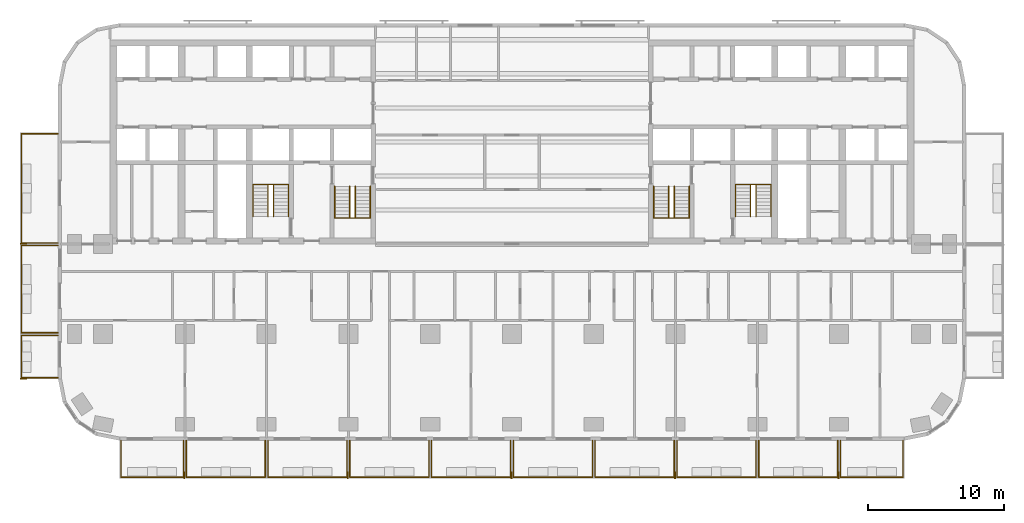
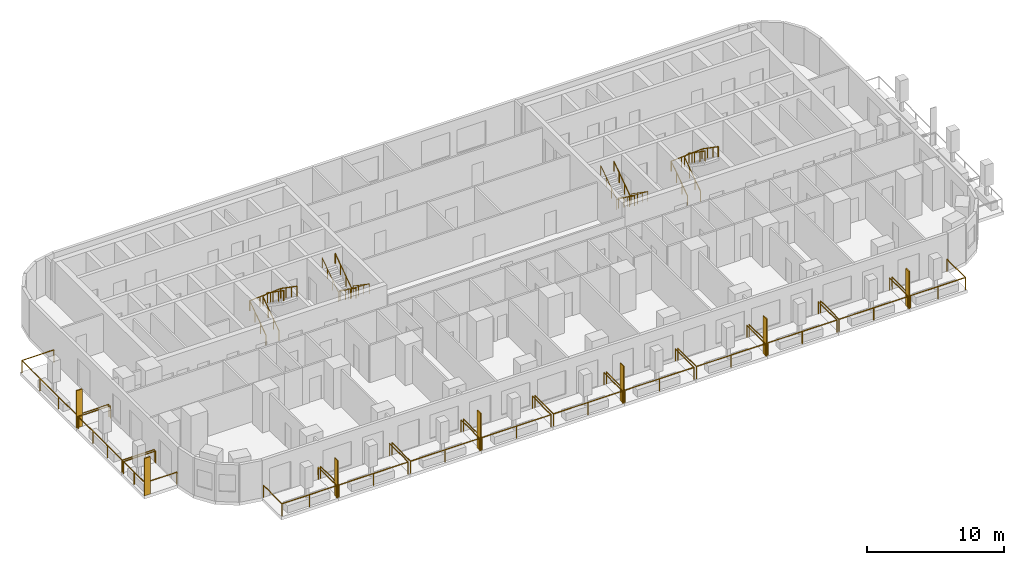
# One storey, part 13 of 15: 21 railings, 7 shading devices.
"""IFC4 building model written with IfcOpenShell, lengths in metres."""

from ifc_helpers import new_model, si_unit, direction, frame, origin, origin_2d, place, context, subcontext, project, spatial, rectangle, circle, extrude, material, layer, layer_set, type_object, element, save


model = new_model("IFC4")

# Units and contexts
model_context = context("Model", 3, precision=1e-05, world=origin(), true_north=direction((0.0, 1.0)))
body_context = subcontext(model_context, "Body", "Model", "MODEL_VIEW")
ifc_project = project(units=[si_unit("LENGTHUNIT", "METRE"), si_unit("AREAUNIT", "SQUARE_METRE"), si_unit("VOLUMEUNIT", "CUBIC_METRE"), si_unit("PLANEANGLEUNIT", "RADIAN"), si_unit("MASSUNIT", "GRAM", prefix="KILO")], contexts=[model_context])

# Site, building, storey
site_placement = place(None, origin())
site = spatial("IfcSite", under=ifc_project, at=site_placement, CompositionType="ELEMENT")
building_placement = place(site_placement, origin())
building = spatial("IfcBuilding", under=site, at=building_placement, Name="Torana Hotel and Residences", CompositionType="ELEMENT")
storey_placement = place(building_placement, frame((0.0, 0.0, 92.39990234375)))
storey = spatial("IfcBuildingStorey", under=building, at=storey_placement, Name="L23", CompositionType="ELEMENT", Elevation=92.39990234375)

# Shading devices
ifc_material_1 = material(Name="Black powder coated aluminium", Category="aluminium")
ifc_layer = layer(ifc_material_1, 0.080078125)
ifc_layer_set = layer_set([ifc_layer], Name="FN1 VERTICAL FIN 500x80")
shading_device_type = type_object("IfcShadingDeviceType", Name="FN1 VERTICAL FIN 500x80", PredefinedType="USERDEFINED", material=ifc_layer_set)
for number, where, z_axis, x_axis, name in (
    (1, (-24.0400390625, -31.949951171875, 0.0), (0.0, 0.0, 1.0), (-1.0, 0.0, 0.0), "Fin 01"),
    (2, (-12.0400390625, -31.949951171875, 0.0), (0.0, 0.0, 1.0), (-1.0, 0.0, 0.0), "Fin 03"),
    (3, (-0.0400390625, -31.949951171875, 0.0), (0.0, 0.0, 1.0), (-1.0, 0.0, 0.0), "Fin 05"),
    (4, (11.9599609375, -31.949951171875, 0.0), (0.0, 0.0, 1.0), (-1.0, 0.0, 0.0), "Fin 07"),
    (5, (23.9599609375, -31.949951171875, 0.0), (0.0, 0.0, 1.0), (-1.0, 0.0, 0.0), "Fin 09"),
    (6, (-35.85009765625, -24.860107421875, 0.0), (0.0, 0.0, 1.0), (0.0, 1.0, 0.0), "Fin 11"),
    (7, (-35.85009765625, -14.9599609375, 0.0), (0.0, 0.0, 1.0), (0.0, 1.0, 0.0), "Fin 13"),
):
    element("IfcShadingDevice", number, at=place(storey_placement, frame(where, z_axis=z_axis, x_axis=x_axis)), inside=storey, type_object=shading_device_type, Name=name, ObjectType="FIN", PredefinedType="USERDEFINED", context=body_context, shape_type="SweptSolid", body=[
        extrude(rectangle(XDim=0.080078125, YDim=0.5, at=origin_2d()), origin(), (0.0, 0.0, 1.0), 3.320068359375),
    ])

# Railings
ifc_material_2 = material(Name="Laminated glass balustrade with black handrail", Category="glass")
railing_type_1 = type_object("IfcRailingType", Name="GR1 BALCONY GUARD 1100 GLASS", PredefinedType="GUARDRAIL", material=ifc_material_2)
railing_1_placement = place(storey_placement, frame((-24.10009765625, -29.39990234375, 0.0)))
element("IfcRailing", 8, at=railing_1_placement, inside=storey, type_object=railing_type_1, Name="Balcony guard 01", PredefinedType="GUARDRAIL", context=body_context, shape_type="SweptSolid", body=[
    extrude(circle(Radius=0.02392578125, at=origin_2d()), frame((0.0, 0.0, 1.076171875), z_axis=(0.0, -1.0, 0.0), x_axis=(1.0, 0.0, 0.0)), (0.0, 0.0, 1.0), 2.7001953125),
    extrude(circle(Radius=0.02392578125, at=origin_2d()), frame((0.0, -2.7001953125, 1.076171875), z_axis=(-1.0, 0.0, 0.0), x_axis=(0.0, -1.0, 0.0)), (0.0, 0.0, 1.0), 4.599853515625),
    extrude(circle(Radius=0.02392578125, at=origin_2d()), frame((-4.599853515625, -2.7001953125, 1.076171875), z_axis=(0.0, 1.0, 0.0), x_axis=(-1.0, 0.0, 0.0)), (0.0, 0.0, 1.0), 2.7001953125),
    extrude(circle(Radius=0.02099609375, at=origin_2d()), origin(), (0.0, 0.0, 1.0), 1.052001953125),
    extrude(circle(Radius=0.02099609375, at=origin_2d()), frame((0.0, -2.7001953125, 0.0)), (0.0, 0.0, 1.0), 1.052001953125),
    extrude(circle(Radius=0.02099609375, at=origin_2d()), frame((-2.2998046875, -2.7001953125, 0.0)), (0.0, 0.0, 1.0), 1.052001953125),
    extrude(circle(Radius=0.02099609375, at=origin_2d()), frame((-4.599853515625, -2.7001953125, 0.0)), (0.0, 0.0, 1.0), 1.052001953125),
    extrude(circle(Radius=0.02099609375, at=origin_2d()), frame((-4.599853515625, 0.0, 0.0)), (0.0, 0.0, 1.0), 1.052001953125),
])
for number, where, name in (
    (9, (-18.10009765625, -29.39990234375, 0.0), "Balcony guard 02"),
    (10, (-12.10009765625, -29.39990234375, 0.0), "Balcony guard 03"),
    (11, (-6.10009765625, -29.39990234375, 0.0), "Balcony guard 04"),
    (12, (-0.10009765625, -29.39990234375, 0.0), "Balcony guard 05"),
    (13, (5.89990234375, -29.39990234375, 0.0), "Balcony guard 06"),
    (14, (11.89990234375, -29.39990234375, 0.0), "Balcony guard 07"),
    (15, (17.89990234375, -29.39990234375, 0.0), "Balcony guard 08"),
    (16, (23.89990234375, -29.39990234375, 0.0), "Balcony guard 09"),
):
    element("IfcRailing", number, at=place(storey_placement, frame(where)), inside=storey, type_object=railing_type_1, Name=name, PredefinedType="GUARDRAIL", context=body_context, shape_type="SweptSolid", body=[
        extrude(circle(Radius=0.02392578125, at=origin_2d()), frame((0.0, 0.0, 1.076171875), z_axis=(0.0, -1.0, 0.0), x_axis=(1.0, 0.0, 0.0)), (0.0, 0.0, 1.0), 2.7001953125),
        extrude(circle(Radius=0.02392578125, at=origin_2d()), frame((0.0, -2.7001953125, 1.076171875), z_axis=(-1.0, 0.0, 0.0), x_axis=(0.0, -1.0, 0.0)), (0.0, 0.0, 1.0), 5.7998046875),
        extrude(circle(Radius=0.02392578125, at=origin_2d()), frame((-5.7998046875, -2.7001953125, 1.076171875), z_axis=(0.0, 1.0, 0.0), x_axis=(-1.0, 0.0, 0.0)), (0.0, 0.0, 1.0), 2.7001953125),
        extrude(circle(Radius=0.02099609375, at=origin_2d()), origin(), (0.0, 0.0, 1.0), 1.052001953125),
        extrude(circle(Radius=0.02099609375, at=origin_2d()), frame((0.0, -2.7001953125, 0.0)), (0.0, 0.0, 1.0), 1.052001953125),
        extrude(circle(Radius=0.02099609375, at=origin_2d()), frame((-2.89990234375, -2.7001953125, 0.0)), (0.0, 0.0, 1.0), 1.052001953125),
        extrude(circle(Radius=0.02099609375, at=origin_2d()), frame((-5.7998046875, -2.7001953125, 0.0)), (0.0, 0.0, 1.0), 1.052001953125),
        extrude(circle(Radius=0.02099609375, at=origin_2d()), frame((-5.7998046875, 0.0, 0.0)), (0.0, 0.0, 1.0), 1.052001953125),
    ])
railing_2_placement = place(storey_placement, frame((28.699951171875, -29.39990234375, 0.0)))
element("IfcRailing", 17, at=railing_2_placement, inside=storey, type_object=railing_type_1, Name="Balcony guard 10", PredefinedType="GUARDRAIL", context=body_context, shape_type="SweptSolid", body=[
    extrude(circle(Radius=0.02392578125, at=origin_2d()), frame((0.0, 0.0, 1.076171875), z_axis=(0.0, -1.0, 0.0), x_axis=(1.0, 0.0, 0.0)), (0.0, 0.0, 1.0), 2.7001953125),
    extrude(circle(Radius=0.02392578125, at=origin_2d()), frame((0.0, -2.7001953125, 1.076171875), z_axis=(-1.0, 0.0, 0.0), x_axis=(0.0, -1.0, 0.0)), (0.0, 0.0, 1.0), 4.599853515625),
    extrude(circle(Radius=0.02392578125, at=origin_2d()), frame((-4.599853515625, -2.7001953125, 1.076171875), z_axis=(0.0, 1.0, 0.0), x_axis=(-1.0, 0.0, 0.0)), (0.0, 0.0, 1.0), 2.7001953125),
    extrude(circle(Radius=0.02099609375, at=origin_2d()), origin(), (0.0, 0.0, 1.0), 1.052001953125),
    extrude(circle(Radius=0.02099609375, at=origin_2d()), frame((0.0, -2.7001953125, 0.0)), (0.0, 0.0, 1.0), 1.052001953125),
    extrude(circle(Radius=0.02099609375, at=origin_2d()), frame((-2.2998046875, -2.7001953125, 0.0)), (0.0, 0.0, 1.0), 1.052001953125),
    extrude(circle(Radius=0.02099609375, at=origin_2d()), frame((-4.599853515625, -2.7001953125, 0.0)), (0.0, 0.0, 1.0), 1.052001953125),
    extrude(circle(Radius=0.02099609375, at=origin_2d()), frame((-4.599853515625, 0.0, 0.0)), (0.0, 0.0, 1.0), 1.052001953125),
])
railing_3_placement = place(storey_placement, frame((-33.300048828125, -24.800048828125, 0.0)))
element("IfcRailing", 18, at=railing_3_placement, inside=storey, type_object=railing_type_1, Name="Balcony guard 11", PredefinedType="GUARDRAIL", context=body_context, shape_type="SweptSolid", body=[
    extrude(circle(Radius=0.02392578125, at=origin_2d()), frame((0.0, 0.0, 1.076171875), z_axis=(-1.0, 0.0, 0.0), x_axis=(0.0, -1.0, 0.0)), (0.0, 0.0, 1.0), 2.699951171875),
    extrude(circle(Radius=0.02392578125, at=origin_2d()), frame((-2.699951171875, 0.0, 1.076171875), z_axis=(0.0, 1.0, 0.0), x_axis=(-1.0, 0.0, 0.0)), (0.0, 0.0, 1.0), 3.10009765625),
    extrude(circle(Radius=0.02392578125, at=origin_2d()), frame((-2.699951171875, 3.10009765625, 1.076171875), z_axis=(1.0, 0.0, 0.0), x_axis=(0.0, 1.0, 0.0)), (0.0, 0.0, 1.0), 2.699951171875),
    extrude(circle(Radius=0.02099609375, at=origin_2d()), origin(), (0.0, 0.0, 1.0), 1.052001953125),
    extrude(circle(Radius=0.02099609375, at=origin_2d()), frame((-2.699951171875, 0.0, 0.0)), (0.0, 0.0, 1.0), 1.052001953125),
    extrude(circle(Radius=0.02099609375, at=origin_2d()), frame((-2.699951171875, 1.550048828125, 0.0)), (0.0, 0.0, 1.0), 1.052001953125),
    extrude(circle(Radius=0.02099609375, at=origin_2d()), frame((-2.699951171875, 3.10009765625, 0.0)), (0.0, 0.0, 1.0), 1.052001953125),
    extrude(circle(Radius=0.02099609375, at=origin_2d()), frame((0.0, 3.10009765625, 0.0)), (0.0, 0.0, 1.0), 1.052001953125),
])
railing_4_placement = place(storey_placement, frame((-33.300048828125, -21.5, 0.0)))
element("IfcRailing", 19, at=railing_4_placement, inside=storey, type_object=railing_type_1, Name="Balcony guard 12", PredefinedType="GUARDRAIL", context=body_context, shape_type="SweptSolid", body=[
    extrude(circle(Radius=0.02392578125, at=origin_2d()), frame((0.0, 0.0, 1.076171875), z_axis=(-1.0, 0.0, 0.0), x_axis=(0.0, -1.0, 0.0)), (0.0, 0.0, 1.0), 2.699951171875),
    extrude(circle(Radius=0.02392578125, at=origin_2d()), frame((-2.699951171875, 0.0, 1.076171875), z_axis=(0.0, 1.0, 0.0), x_axis=(-1.0, 0.0, 0.0)), (0.0, 0.0, 1.0), 6.39990234375),
    extrude(circle(Radius=0.02392578125, at=origin_2d()), frame((-2.699951171875, 6.39990234375, 1.076171875), z_axis=(1.0, 0.0, 0.0), x_axis=(0.0, 1.0, 0.0)), (0.0, 0.0, 1.0), 2.699951171875),
    extrude(circle(Radius=0.02099609375, at=origin_2d()), origin(), (0.0, 0.0, 1.0), 1.052001953125),
    extrude(circle(Radius=0.02099609375, at=origin_2d()), frame((-2.699951171875, 0.0, 0.0)), (0.0, 0.0, 1.0), 1.052001953125),
    extrude(circle(Radius=0.02099609375, at=origin_2d()), frame((-2.699951171875, 2.13330078125, 0.0)), (0.0, 0.0, 1.0), 1.052001953125),
    extrude(circle(Radius=0.02099609375, at=origin_2d()), frame((-2.699951171875, 4.2666015625, 0.0)), (0.0, 0.0, 1.0), 1.052001953125),
    extrude(circle(Radius=0.02099609375, at=origin_2d()), frame((-2.699951171875, 6.39990234375, 0.0)), (0.0, 0.0, 1.0), 1.052001953125),
    extrude(circle(Radius=0.02099609375, at=origin_2d()), frame((0.0, 6.39990234375, 0.0)), (0.0, 0.0, 1.0), 1.052001953125),
])
railing_5_placement = place(storey_placement, frame((-33.300048828125, -14.89990234375, 0.0)))
element("IfcRailing", 20, at=railing_5_placement, inside=storey, type_object=railing_type_1, Name="Balcony guard 13", PredefinedType="GUARDRAIL", context=body_context, shape_type="SweptSolid", body=[
    extrude(circle(Radius=0.02392578125, at=origin_2d()), frame((0.0, 0.0, 1.076171875), z_axis=(-1.0, 0.0, 0.0), x_axis=(0.0, -1.0, 0.0)), (0.0, 0.0, 1.0), 2.699951171875),
    extrude(circle(Radius=0.02392578125, at=origin_2d()), frame((-2.699951171875, 0.0, 1.076171875), z_axis=(0.0, 1.0, 0.0), x_axis=(-1.0, 0.0, 0.0)), (0.0, 0.0, 1.0), 8.0),
    extrude(circle(Radius=0.02392578125, at=origin_2d()), frame((-2.699951171875, 8.0, 1.076171875), z_axis=(1.0, 0.0, 0.0), x_axis=(0.0, 1.0, 0.0)), (0.0, 0.0, 1.0), 2.699951171875),
    extrude(circle(Radius=0.02099609375, at=origin_2d()), origin(), (0.0, 0.0, 1.0), 1.052001953125),
    extrude(circle(Radius=0.02099609375, at=origin_2d()), frame((-2.699951171875, 0.0, 0.0)), (0.0, 0.0, 1.0), 1.052001953125),
    extrude(circle(Radius=0.02099609375, at=origin_2d()), frame((-2.699951171875, 2.666748046875, 0.0)), (0.0, 0.0, 1.0), 1.052001953125),
    extrude(circle(Radius=0.02099609375, at=origin_2d()), frame((-2.699951171875, 5.333251953125, 0.0)), (0.0, 0.0, 1.0), 1.052001953125),
    extrude(circle(Radius=0.02099609375, at=origin_2d()), frame((-2.699951171875, 8.0, 0.0)), (0.0, 0.0, 1.0), 1.052001953125),
    extrude(circle(Radius=0.02099609375, at=origin_2d()), frame((0.0, 8.0, 0.0)), (0.0, 0.0, 1.0), 1.052001953125),
])
ifc_material_3 = material(Name="Stainless steel 316", Category="steel")
railing_type_2 = type_object("IfcRailingType", Name="STAIR HANDRAIL HR1 900", PredefinedType="HANDRAIL", material=ifc_material_3)
railing_6_placement = place(storey_placement, frame((-10.39990234375, -10.75, 0.18017578125)))
element("IfcRailing", 21, at=railing_6_placement, inside=storey, type_object=railing_type_2, Name="Handrail ST1 L23 O1", PredefinedType="HANDRAIL", context=body_context, shape_type="SweptSolid", body=[
    extrude(circle(Radius=0.02392578125, at=origin_2d()), frame((0.0, 0.0, 0.8759765625), z_axis=(0.0, -0.822223072051, 0.569165371211), x_axis=(1.0, 0.0, 0.0)), (0.0, 0.0, 1.0), 2.845947265625),
    extrude(circle(Radius=0.02392578125, at=origin_2d()), frame((0.0, -2.340087890625, 2.49560546875), z_axis=(-0.997614115953, 0.0, 0.069036770278), x_axis=(0.0, -1.0, 0.0)), (0.0, 0.0, 1.0), 2.606201171875),
    extrude(circle(Radius=0.02392578125, at=origin_2d()), frame((-2.60009765625, -2.340087890625, 2.67578125), z_axis=(0.0, 0.822182927502, 0.569223360136), x_axis=(-1.0, 0.0, 0.0)), (0.0, 0.0, 1.0), 2.84619140625),
    extrude(circle(Radius=0.02099609375, at=origin_2d()), origin(), (0.0, 0.0, 1.0), 0.851806640625),
    extrude(circle(Radius=0.02099609375, at=origin_2d()), frame((0.0, -0.780029296875, 0.5400390625)), (0.0, 0.0, 1.0), 0.851806640625),
    extrude(circle(Radius=0.02099609375, at=origin_2d()), frame((0.0, -1.56005859375, 1.079833984375)), (0.0, 0.0, 1.0), 0.851806640625),
    extrude(circle(Radius=0.02099609375, at=origin_2d()), frame((0.0, -2.340087890625, 1.619873046875)), (0.0, 0.0, 1.0), 0.851806640625),
    extrude(circle(Radius=0.02099609375, at=origin_2d()), frame((-0.86669921875, -2.340087890625, 1.679931640625)), (0.0, 0.0, 1.0), 0.851806640625),
    extrude(circle(Radius=0.02099609375, at=origin_2d()), frame((-1.7333984375, -2.340087890625, 1.73974609375)), (0.0, 0.0, 1.0), 0.851806640625),
    extrude(circle(Radius=0.02099609375, at=origin_2d()), frame((-2.60009765625, -2.340087890625, 1.7998046875)), (0.0, 0.0, 1.0), 0.851806640625),
    extrude(circle(Radius=0.02099609375, at=origin_2d()), frame((-2.60009765625, -1.56005859375, 2.33984375)), (0.0, 0.0, 1.0), 0.851806640625),
    extrude(circle(Radius=0.02099609375, at=origin_2d()), frame((-2.60009765625, -0.780029296875, 2.8798828125)), (0.0, 0.0, 1.0), 0.851806640625),
    extrude(circle(Radius=0.02099609375, at=origin_2d()), frame((-2.60009765625, 0.0, 3.419921875)), (0.0, 0.0, 1.0), 0.851806640625),
])
railing_7_placement = place(storey_placement, frame((-11.5, -10.75, 0.18017578125)))
element("IfcRailing", 22, at=railing_7_placement, inside=storey, type_object=railing_type_2, Name="Handrail ST1 L23 I1", PredefinedType="HANDRAIL", context=body_context, shape_type="SweptSolid", body=[
    extrude(circle(Radius=0.02392578125, at=origin_2d()), frame((0.0, 0.0, 0.8759765625), z_axis=(0.0, -0.822223072051, 0.569165371211), x_axis=(1.0, 0.0, 0.0)), (0.0, 0.0, 1.0), 2.845947265625),
    extrude(circle(Radius=0.02392578125, at=origin_2d()), frame((0.0, -2.340087890625, 2.49560546875), z_axis=(-0.911942338396, 0.0, 0.410318378143), x_axis=(0.0, -1.0, 0.0)), (0.0, 0.0, 1.0), 0.4384765625),
    extrude(circle(Radius=0.02392578125, at=origin_2d()), frame((-0.39990234375, -2.340087890625, 2.67578125), z_axis=(0.0, 0.822182927502, 0.569223360136), x_axis=(-1.0, 0.0, 0.0)), (0.0, 0.0, 1.0), 2.84619140625),
    extrude(circle(Radius=0.02099609375, at=origin_2d()), origin(), (0.0, 0.0, 1.0), 0.851806640625),
    extrude(circle(Radius=0.02099609375, at=origin_2d()), frame((0.0, -0.780029296875, 0.5400390625)), (0.0, 0.0, 1.0), 0.851806640625),
    extrude(circle(Radius=0.02099609375, at=origin_2d()), frame((0.0, -1.56005859375, 1.079833984375)), (0.0, 0.0, 1.0), 0.851806640625),
    extrude(circle(Radius=0.02099609375, at=origin_2d()), frame((0.0, -2.340087890625, 1.619873046875)), (0.0, 0.0, 1.0), 0.851806640625),
    extrude(circle(Radius=0.02099609375, at=origin_2d()), frame((-0.39990234375, -2.340087890625, 1.7998046875)), (0.0, 0.0, 1.0), 0.851806640625),
    extrude(circle(Radius=0.02099609375, at=origin_2d()), frame((-0.39990234375, -1.56005859375, 2.33984375)), (0.0, 0.0, 1.0), 0.851806640625),
    extrude(circle(Radius=0.02099609375, at=origin_2d()), frame((-0.39990234375, -0.780029296875, 2.8798828125)), (0.0, 0.0, 1.0), 0.851806640625),
    extrude(circle(Radius=0.02099609375, at=origin_2d()), frame((-0.39990234375, 0.0, 3.419921875)), (0.0, 0.0, 1.0), 0.851806640625),
])
railing_8_placement = place(storey_placement, frame((-19.0, -12.949951171875, 0.18017578125)))
element("IfcRailing", 23, at=railing_8_placement, inside=storey, type_object=railing_type_2, Name="Handrail ST2 L23 O1", PredefinedType="HANDRAIL", context=body_context, shape_type="SweptSolid", body=[
    extrude(circle(Radius=0.02392578125, at=origin_2d()), frame((0.0, 0.0, 0.8759765625), z_axis=(0.0, 0.822195280011, 0.569205517829), x_axis=(-1.0, 0.0, 0.0)), (0.0, 0.0, 1.0), 2.845947265625),
    extrude(circle(Radius=0.02392578125, at=origin_2d()), frame((0.0, 2.33984375, 2.49560546875), z_axis=(0.997614115953, 0.0, 0.069036770278), x_axis=(0.0, 1.0, 0.0)), (0.0, 0.0, 1.0), 2.606201171875),
    extrude(circle(Radius=0.02392578125, at=origin_2d()), frame((2.60009765625, 2.33984375, 2.67578125), z_axis=(0.0, -0.822155131156, 0.569263506923), x_axis=(1.0, 0.0, 0.0)), (0.0, 0.0, 1.0), 2.845947265625),
    extrude(circle(Radius=0.02099609375, at=origin_2d()), origin(), (0.0, 0.0, 1.0), 0.851806640625),
    extrude(circle(Radius=0.02099609375, at=origin_2d()), frame((0.0, 0.780029296875, 0.5400390625)), (0.0, 0.0, 1.0), 0.851806640625),
    extrude(circle(Radius=0.02099609375, at=origin_2d()), frame((0.0, 1.559814453125, 1.079833984375)), (0.0, 0.0, 1.0), 0.851806640625),
    extrude(circle(Radius=0.02099609375, at=origin_2d()), frame((0.0, 2.33984375, 1.619873046875)), (0.0, 0.0, 1.0), 0.851806640625),
    extrude(circle(Radius=0.02099609375, at=origin_2d()), frame((0.86669921875, 2.33984375, 1.679931640625)), (0.0, 0.0, 1.0), 0.851806640625),
    extrude(circle(Radius=0.02099609375, at=origin_2d()), frame((1.7333984375, 2.33984375, 1.73974609375)), (0.0, 0.0, 1.0), 0.851806640625),
    extrude(circle(Radius=0.02099609375, at=origin_2d()), frame((2.60009765625, 2.33984375, 1.7998046875)), (0.0, 0.0, 1.0), 0.851806640625),
    extrude(circle(Radius=0.02099609375, at=origin_2d()), frame((2.60009765625, 1.559814453125, 2.33984375)), (0.0, 0.0, 1.0), 0.851806640625),
    extrude(circle(Radius=0.02099609375, at=origin_2d()), frame((2.60009765625, 0.780029296875, 2.8798828125)), (0.0, 0.0, 1.0), 0.851806640625),
    extrude(circle(Radius=0.02099609375, at=origin_2d()), frame((2.60009765625, 0.0, 3.419921875)), (0.0, 0.0, 1.0), 0.851806640625),
])
railing_9_placement = place(storey_placement, frame((-17.89990234375, -12.949951171875, 0.18017578125)))
element("IfcRailing", 24, at=railing_9_placement, inside=storey, type_object=railing_type_2, Name="Handrail ST2 L23 I1", PredefinedType="HANDRAIL", context=body_context, shape_type="SweptSolid", body=[
    extrude(circle(Radius=0.02392578125, at=origin_2d()), frame((0.0, 0.0, 0.8759765625), z_axis=(0.0, 0.822195280011, 0.569205517829), x_axis=(-1.0, 0.0, 0.0)), (0.0, 0.0, 1.0), 2.845947265625),
    extrude(circle(Radius=0.02392578125, at=origin_2d()), frame((0.0, 2.33984375, 2.49560546875), z_axis=(0.911942338396, 0.0, 0.410318378143), x_axis=(0.0, 1.0, 0.0)), (0.0, 0.0, 1.0), 0.4384765625),
    extrude(circle(Radius=0.02392578125, at=origin_2d()), frame((0.39990234375, 2.33984375, 2.67578125), z_axis=(0.0, -0.822155131156, 0.569263506923), x_axis=(1.0, 0.0, 0.0)), (0.0, 0.0, 1.0), 2.845947265625),
    extrude(circle(Radius=0.02099609375, at=origin_2d()), origin(), (0.0, 0.0, 1.0), 0.851806640625),
    extrude(circle(Radius=0.02099609375, at=origin_2d()), frame((0.0, 0.780029296875, 0.5400390625)), (0.0, 0.0, 1.0), 0.851806640625),
    extrude(circle(Radius=0.02099609375, at=origin_2d()), frame((0.0, 1.559814453125, 1.079833984375)), (0.0, 0.0, 1.0), 0.851806640625),
    extrude(circle(Radius=0.02099609375, at=origin_2d()), frame((0.0, 2.33984375, 1.619873046875)), (0.0, 0.0, 1.0), 0.851806640625),
    extrude(circle(Radius=0.02099609375, at=origin_2d()), frame((0.39990234375, 2.33984375, 1.7998046875)), (0.0, 0.0, 1.0), 0.851806640625),
    extrude(circle(Radius=0.02099609375, at=origin_2d()), frame((0.39990234375, 1.559814453125, 2.33984375)), (0.0, 0.0, 1.0), 0.851806640625),
    extrude(circle(Radius=0.02099609375, at=origin_2d()), frame((0.39990234375, 0.780029296875, 2.8798828125)), (0.0, 0.0, 1.0), 0.851806640625),
    extrude(circle(Radius=0.02099609375, at=origin_2d()), frame((0.39990234375, 0.0, 3.419921875)), (0.0, 0.0, 1.0), 0.851806640625),
])
railing_10_placement = place(storey_placement, frame((13.0, -10.75, 0.18017578125)))
element("IfcRailing", 25, at=railing_10_placement, inside=storey, type_object=railing_type_2, Name="Handrail ST3 L23 O1", PredefinedType="HANDRAIL", context=body_context, shape_type="SweptSolid", body=[
    extrude(circle(Radius=0.02392578125, at=origin_2d()), frame((0.0, 0.0, 0.8759765625), z_axis=(0.0, -0.822223072051, 0.569165371211), x_axis=(1.0, 0.0, 0.0)), (0.0, 0.0, 1.0), 2.845947265625),
    extrude(circle(Radius=0.02392578125, at=origin_2d()), frame((0.0, -2.340087890625, 2.49560546875), z_axis=(-0.997614115953, 0.0, 0.069036770278), x_axis=(0.0, -1.0, 0.0)), (0.0, 0.0, 1.0), 2.606201171875),
    extrude(circle(Radius=0.02392578125, at=origin_2d()), frame((-2.60009765625, -2.340087890625, 2.67578125), z_axis=(0.0, 0.822182927502, 0.569223360136), x_axis=(-1.0, 0.0, 0.0)), (0.0, 0.0, 1.0), 2.84619140625),
    extrude(circle(Radius=0.02099609375, at=origin_2d()), origin(), (0.0, 0.0, 1.0), 0.851806640625),
    extrude(circle(Radius=0.02099609375, at=origin_2d()), frame((0.0, -0.780029296875, 0.5400390625)), (0.0, 0.0, 1.0), 0.851806640625),
    extrude(circle(Radius=0.02099609375, at=origin_2d()), frame((0.0, -1.56005859375, 1.079833984375)), (0.0, 0.0, 1.0), 0.851806640625),
    extrude(circle(Radius=0.02099609375, at=origin_2d()), frame((0.0, -2.340087890625, 1.619873046875)), (0.0, 0.0, 1.0), 0.851806640625),
    extrude(circle(Radius=0.02099609375, at=origin_2d()), frame((-0.86669921875, -2.340087890625, 1.679931640625)), (0.0, 0.0, 1.0), 0.851806640625),
    extrude(circle(Radius=0.02099609375, at=origin_2d()), frame((-1.7333984375, -2.340087890625, 1.73974609375)), (0.0, 0.0, 1.0), 0.851806640625),
    extrude(circle(Radius=0.02099609375, at=origin_2d()), frame((-2.60009765625, -2.340087890625, 1.7998046875)), (0.0, 0.0, 1.0), 0.851806640625),
    extrude(circle(Radius=0.02099609375, at=origin_2d()), frame((-2.60009765625, -1.56005859375, 2.33984375)), (0.0, 0.0, 1.0), 0.851806640625),
    extrude(circle(Radius=0.02099609375, at=origin_2d()), frame((-2.60009765625, -0.780029296875, 2.8798828125)), (0.0, 0.0, 1.0), 0.851806640625),
    extrude(circle(Radius=0.02099609375, at=origin_2d()), frame((-2.60009765625, 0.0, 3.419921875)), (0.0, 0.0, 1.0), 0.851806640625),
])
railing_11_placement = place(storey_placement, frame((11.89990234375, -10.75, 0.18017578125)))
element("IfcRailing", 26, at=railing_11_placement, inside=storey, type_object=railing_type_2, Name="Handrail ST3 L23 I1", PredefinedType="HANDRAIL", context=body_context, shape_type="SweptSolid", body=[
    extrude(circle(Radius=0.02392578125, at=origin_2d()), frame((0.0, 0.0, 0.8759765625), z_axis=(0.0, -0.822223072051, 0.569165371211), x_axis=(1.0, 0.0, 0.0)), (0.0, 0.0, 1.0), 2.845947265625),
    extrude(circle(Radius=0.02392578125, at=origin_2d()), frame((0.0, -2.340087890625, 2.49560546875), z_axis=(-0.911942338396, 0.0, 0.410318378143), x_axis=(0.0, -1.0, 0.0)), (0.0, 0.0, 1.0), 0.4384765625),
    extrude(circle(Radius=0.02392578125, at=origin_2d()), frame((-0.39990234375, -2.340087890625, 2.67578125), z_axis=(0.0, 0.822182927502, 0.569223360136), x_axis=(-1.0, 0.0, 0.0)), (0.0, 0.0, 1.0), 2.84619140625),
    extrude(circle(Radius=0.02099609375, at=origin_2d()), origin(), (0.0, 0.0, 1.0), 0.851806640625),
    extrude(circle(Radius=0.02099609375, at=origin_2d()), frame((0.0, -0.780029296875, 0.5400390625)), (0.0, 0.0, 1.0), 0.851806640625),
    extrude(circle(Radius=0.02099609375, at=origin_2d()), frame((0.0, -1.56005859375, 1.079833984375)), (0.0, 0.0, 1.0), 0.851806640625),
    extrude(circle(Radius=0.02099609375, at=origin_2d()), frame((0.0, -2.340087890625, 1.619873046875)), (0.0, 0.0, 1.0), 0.851806640625),
    extrude(circle(Radius=0.02099609375, at=origin_2d()), frame((-0.39990234375, -2.340087890625, 1.7998046875)), (0.0, 0.0, 1.0), 0.851806640625),
    extrude(circle(Radius=0.02099609375, at=origin_2d()), frame((-0.39990234375, -1.56005859375, 2.33984375)), (0.0, 0.0, 1.0), 0.851806640625),
    extrude(circle(Radius=0.02099609375, at=origin_2d()), frame((-0.39990234375, -0.780029296875, 2.8798828125)), (0.0, 0.0, 1.0), 0.851806640625),
    extrude(circle(Radius=0.02099609375, at=origin_2d()), frame((-0.39990234375, 0.0, 3.419921875)), (0.0, 0.0, 1.0), 0.851806640625),
])
railing_12_placement = place(storey_placement, frame((16.39990234375, -12.949951171875, 0.18017578125)))
element("IfcRailing", 27, at=railing_12_placement, inside=storey, type_object=railing_type_2, Name="Handrail ST4 L23 O1", PredefinedType="HANDRAIL", context=body_context, shape_type="SweptSolid", body=[
    extrude(circle(Radius=0.02392578125, at=origin_2d()), frame((0.0, 0.0, 0.8759765625), z_axis=(0.0, 0.822195280011, 0.569205517829), x_axis=(-1.0, 0.0, 0.0)), (0.0, 0.0, 1.0), 2.845947265625),
    extrude(circle(Radius=0.02392578125, at=origin_2d()), frame((0.0, 2.33984375, 2.49560546875), z_axis=(0.997614115953, 0.0, 0.069036770278), x_axis=(0.0, 1.0, 0.0)), (0.0, 0.0, 1.0), 2.606201171875),
    extrude(circle(Radius=0.02392578125, at=origin_2d()), frame((2.60009765625, 2.33984375, 2.67578125), z_axis=(0.0, -0.822155131156, 0.569263506923), x_axis=(1.0, 0.0, 0.0)), (0.0, 0.0, 1.0), 2.845947265625),
    extrude(circle(Radius=0.02099609375, at=origin_2d()), origin(), (0.0, 0.0, 1.0), 0.851806640625),
    extrude(circle(Radius=0.02099609375, at=origin_2d()), frame((0.0, 0.780029296875, 0.5400390625)), (0.0, 0.0, 1.0), 0.851806640625),
    extrude(circle(Radius=0.02099609375, at=origin_2d()), frame((0.0, 1.559814453125, 1.079833984375)), (0.0, 0.0, 1.0), 0.851806640625),
    extrude(circle(Radius=0.02099609375, at=origin_2d()), frame((0.0, 2.33984375, 1.619873046875)), (0.0, 0.0, 1.0), 0.851806640625),
    extrude(circle(Radius=0.02099609375, at=origin_2d()), frame((0.86669921875, 2.33984375, 1.679931640625)), (0.0, 0.0, 1.0), 0.851806640625),
    extrude(circle(Radius=0.02099609375, at=origin_2d()), frame((1.7333984375, 2.33984375, 1.73974609375)), (0.0, 0.0, 1.0), 0.851806640625),
    extrude(circle(Radius=0.02099609375, at=origin_2d()), frame((2.60009765625, 2.33984375, 1.7998046875)), (0.0, 0.0, 1.0), 0.851806640625),
    extrude(circle(Radius=0.02099609375, at=origin_2d()), frame((2.60009765625, 1.559814453125, 2.33984375)), (0.0, 0.0, 1.0), 0.851806640625),
    extrude(circle(Radius=0.02099609375, at=origin_2d()), frame((2.60009765625, 0.780029296875, 2.8798828125)), (0.0, 0.0, 1.0), 0.851806640625),
    extrude(circle(Radius=0.02099609375, at=origin_2d()), frame((2.60009765625, 0.0, 3.419921875)), (0.0, 0.0, 1.0), 0.851806640625),
])
railing_13_placement = place(storey_placement, frame((17.5, -12.949951171875, 0.18017578125)))
element("IfcRailing", 28, at=railing_13_placement, inside=storey, type_object=railing_type_2, Name="Handrail ST4 L23 I1", PredefinedType="HANDRAIL", context=body_context, shape_type="SweptSolid", body=[
    extrude(circle(Radius=0.02392578125, at=origin_2d()), frame((0.0, 0.0, 0.8759765625), z_axis=(0.0, 0.822195280011, 0.569205517829), x_axis=(-1.0, 0.0, 0.0)), (0.0, 0.0, 1.0), 2.845947265625),
    extrude(circle(Radius=0.02392578125, at=origin_2d()), frame((0.0, 2.33984375, 2.49560546875), z_axis=(0.911942338396, 0.0, 0.410318378143), x_axis=(0.0, 1.0, 0.0)), (0.0, 0.0, 1.0), 0.4384765625),
    extrude(circle(Radius=0.02392578125, at=origin_2d()), frame((0.39990234375, 2.33984375, 2.67578125), z_axis=(0.0, -0.822155131156, 0.569263506923), x_axis=(1.0, 0.0, 0.0)), (0.0, 0.0, 1.0), 2.845947265625),
    extrude(circle(Radius=0.02099609375, at=origin_2d()), origin(), (0.0, 0.0, 1.0), 0.851806640625),
    extrude(circle(Radius=0.02099609375, at=origin_2d()), frame((0.0, 0.780029296875, 0.5400390625)), (0.0, 0.0, 1.0), 0.851806640625),
    extrude(circle(Radius=0.02099609375, at=origin_2d()), frame((0.0, 1.559814453125, 1.079833984375)), (0.0, 0.0, 1.0), 0.851806640625),
    extrude(circle(Radius=0.02099609375, at=origin_2d()), frame((0.0, 2.33984375, 1.619873046875)), (0.0, 0.0, 1.0), 0.851806640625),
    extrude(circle(Radius=0.02099609375, at=origin_2d()), frame((0.39990234375, 2.33984375, 1.7998046875)), (0.0, 0.0, 1.0), 0.851806640625),
    extrude(circle(Radius=0.02099609375, at=origin_2d()), frame((0.39990234375, 1.559814453125, 2.33984375)), (0.0, 0.0, 1.0), 0.851806640625),
    extrude(circle(Radius=0.02099609375, at=origin_2d()), frame((0.39990234375, 0.780029296875, 2.8798828125)), (0.0, 0.0, 1.0), 0.851806640625),
    extrude(circle(Radius=0.02099609375, at=origin_2d()), frame((0.39990234375, 0.0, 3.419921875)), (0.0, 0.0, 1.0), 0.851806640625),
])

save(model, "model.ifc")
